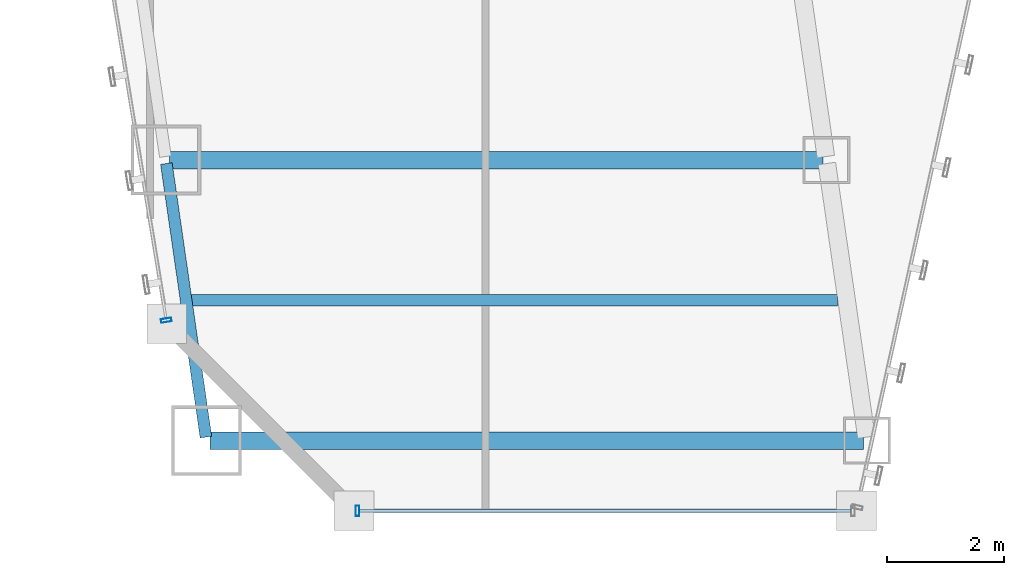
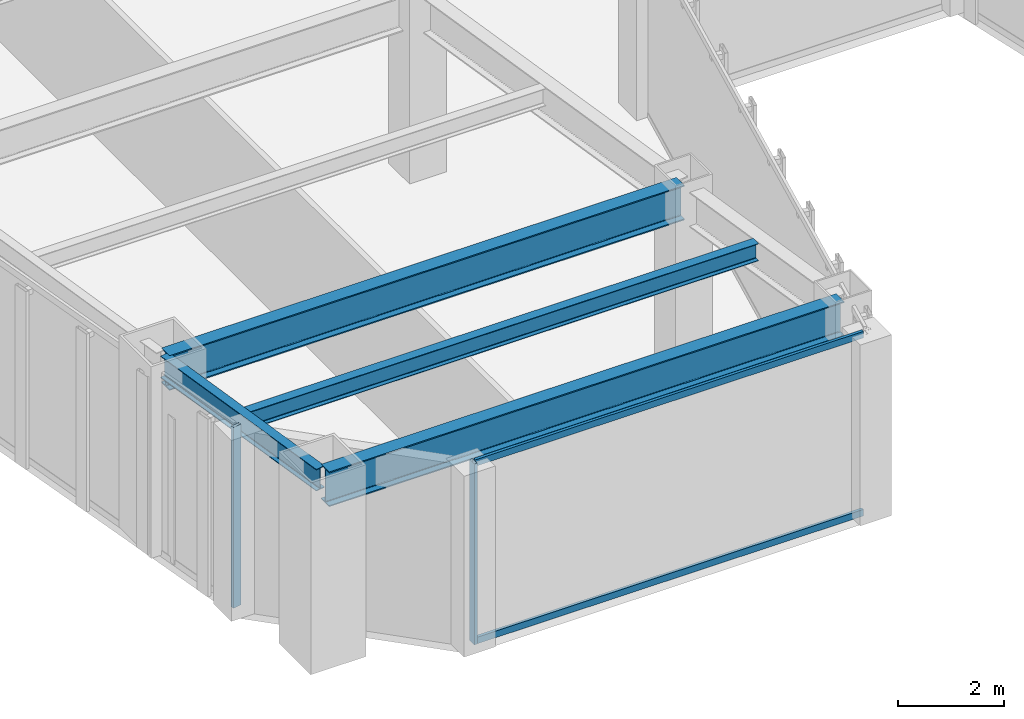
# One storey, part 4 of 47: 4 beams, 4 members, 2 elements without a shape of their own.
"""IFC4 building model written with IfcOpenShell, lengths in metres."""

from ifc_helpers import new_model, si_unit, direction, frame, origin, origin_2d, place, context, subcontext, project, spatial, hollow_rectangle, i_section, extrude, material, material_profile, profile_set, type_object, element, aggregate, save


model = new_model("IFC4")

# Units and contexts
model_context = context("Model", 3, precision=1e-05, world=origin(), true_north=direction((0.0, 1.0)))
body_context = subcontext(model_context, "Body", "Model", "MODEL_VIEW")
ifc_project = project(units=[si_unit("LENGTHUNIT", "METRE"), si_unit("AREAUNIT", "SQUARE_METRE"), si_unit("VOLUMEUNIT", "CUBIC_METRE"), si_unit("PLANEANGLEUNIT", "RADIAN"), si_unit("MASSUNIT", "GRAM", prefix="KILO")], contexts=[model_context])

# Site, building, storey
site_placement = place(None, origin())
site = spatial("IfcSite", under=ifc_project, at=site_placement, CompositionType="ELEMENT")
building_placement = place(site_placement, origin())
building = spatial("IfcBuilding", under=site, at=building_placement, Name="Saevonmaru Cultural Tower", CompositionType="ELEMENT")
storey_placement = place(building_placement, frame((0.0, 0.0, 92.800048828125)))
storey = spatial("IfcBuildingStorey", under=building, at=storey_placement, Name="L19", CompositionType="ELEMENT", Elevation=92.800048828125)

# Beams
ifc_material_1 = material(Name="Steel SM420", Category="steel")
ifc_material_profile_1 = material_profile(ifc_material_1, i_section(OverallWidth=0.300048828125, OverallDepth=0.800048828125, WebThickness=0.013916015625, FlangeThickness=0.02587890625, FilletRadius=0.028076171875, at=origin_2d()), Name="H-800x300x14x26")
ifc_profile_set_1 = profile_set([ifc_material_profile_1], Name="Steel SM420")
beam_type_1 = type_object("IfcBeamType", Name="BM-G-H800", PredefinedType="BEAM", material=ifc_profile_set_1)
for number, where, z_axis, x_axis, name in (
    (1, (12.537109375, 3.199951171875, 3.75), (1.0, 0.0, 0.0), (0.0, 1.0, 0.0), "L19 West Wing Transverse Girder 1"),
    (2, (11.843017578125, 8.0, 3.75), (1.0, 0.0, 0.0), (0.0, 1.0, 0.0), "L19 West Wing Transverse Girder 2"),
):
    element("IfcBeam", number, at=place(storey_placement, frame(where, z_axis=z_axis, x_axis=x_axis)), inside=storey, type_object=beam_type_1, Name=name, PredefinedType="BEAM", context=body_context, shape_type="SweptSolid", body=[
        extrude(i_section(OverallWidth=0.300048828125, OverallDepth=0.800048828125, WebThickness=0.013916015625, FlangeThickness=0.02587890625, FilletRadius=0.028076171875, at=origin_2d()), origin(), (0.0, 0.0, 1.0), 11.179931640625),
    ])
ifc_material_2 = material(Name="Steel SM355", Category="steel")
ifc_material_profile_2 = material_profile(ifc_material_2, i_section(OverallWidth=0.199951171875, OverallDepth=0.39990234375, WebThickness=0.008056640625, FlangeThickness=0.012939453125, FilletRadius=0.01611328125, at=origin_2d()), Name="H-400x200x8x13")
ifc_profile_set_2 = profile_set([ifc_material_profile_2], Name="Steel SM355")
beam_type_2 = type_object("IfcBeamType", Name="BM-J-H400", PredefinedType="JOIST", material=ifc_profile_set_2)
beam_1_placement = place(storey_placement, frame((12.18994140625, 5.60009765625, 3.949951171875), z_axis=(1.0, 0.0, 0.0), x_axis=(0.0, 1.0, 0.0)))
element("IfcBeam", 3, at=beam_1_placement, inside=storey, type_object=beam_type_2, Name="L19 West Wing Floor Joist 1", PredefinedType="JOIST", context=body_context, shape_type="SweptSolid", body=[
    extrude(i_section(OverallWidth=0.199951171875, OverallDepth=0.39990234375, WebThickness=0.008056640625, FlangeThickness=0.012939453125, FilletRadius=0.01611328125, at=origin_2d()), origin(), (0.0, 0.0, 1.0), 11.08203125),
])
ifc_material_profile_3 = material_profile(ifc_material_2, i_section(OverallWidth=0.199951171875, OverallDepth=0.5, WebThickness=0.010009765625, FlangeThickness=0.01611328125, FilletRadius=0.02001953125, at=origin_2d()), Name="H-500x200x10x16")
ifc_profile_set_3 = profile_set([ifc_material_profile_3], Name="Steel SM355")
beam_type_3 = type_object("IfcBeamType", Name="BM-SP-H500", PredefinedType="SPANDREL", material=ifc_profile_set_3)
beam_2_placement = place(storey_placement, frame((12.468505859375, 3.259521484375, 3.89990234375), z_axis=(-0.14313379491, 0.989703347855, 0.0), x_axis=(-0.989703347855, -0.14313379491, 0.0)))
element("IfcBeam", 4, at=beam_2_placement, inside=storey, type_object=beam_type_3, Name="L19 West Splayed Spandrel 1", PredefinedType="SPANDREL", context=body_context, shape_type="SweptSolid", body=[
    extrude(i_section(OverallWidth=0.199951171875, OverallDepth=0.5, WebThickness=0.010009765625, FlangeThickness=0.01611328125, FilletRadius=0.02001953125, at=origin_2d()), origin(), (0.0, 0.0, 1.0), 4.729736328125),
])

# Curtain wall, member
ifc_material_3 = material(Name="Satin Bronze Anodised Aluminium", Category="aluminium")
curtain_wall_type = type_object("IfcCurtainWallType", Name="CW-TYP-A", PredefinedType="NOTDEFINED", material=ifc_material_3)
curtain_wall_1_placement = place(storey_placement, origin())
curtain_wall_1 = element("IfcCurtainWall", 5, at=curtain_wall_1_placement, inside=storey, type_object=curtain_wall_type, Name="L19 Unitised Curtain Wall E2", PredefinedType="NOTDEFINED")
ifc_material_profile_4 = material_profile(ifc_material_3, hollow_rectangle(XDim=0.06494140625, YDim=0.179931640625, WallThickness=0.00390625, at=origin_2d()), Name="ALU-MULL-180x65x4")
ifc_profile_set_4 = profile_set([ifc_material_profile_4], Name="Satin Bronze Anodised Aluminium")
member_type_1 = type_object("IfcMemberType", Name="ML-CW-180x65", PredefinedType="MULLION", material=ifc_profile_set_4)
member_1_placement = place(storey_placement, frame((15.06005859375, 2.0, 0.0), z_axis=(0.0, 0.0, 1.0), x_axis=(1.0, 0.0, 0.0)))
member_1 = element("IfcMember", 6, at=member_1_placement, type_object=member_type_1, Name="CW-TW-L19-E2 mullion 1", PredefinedType="MULLION", context=body_context, shape_type="SweptSolid", body=[
    extrude(hollow_rectangle(XDim=0.06494140625, YDim=0.179931640625, WallThickness=0.00390625, at=origin_2d()), origin(), (0.0, 0.0, 1.0), 4.14990234375),
])

curtain_wall_2_placement = place(storey_placement, origin())
curtain_wall_2 = element("IfcCurtainWall", 7, at=curtain_wall_2_placement, inside=storey, type_object=curtain_wall_type, Name="L19 Unitised Curtain Wall E12", PredefinedType="NOTDEFINED")
member_2_placement = place(storey_placement, frame((11.790283203125, 5.25927734375, 0.0), z_axis=(0.0, 0.0, 1.0), x_axis=(0.161708868641, -0.986838508472, 0.0)))
member_2 = element("IfcMember", 8, at=member_2_placement, type_object=member_type_1, Name="CW-TW-L19-E12 mullion 5", PredefinedType="MULLION", context=body_context, shape_type="SweptSolid", body=[
    extrude(hollow_rectangle(XDim=0.06494140625, YDim=0.179931640625, WallThickness=0.00390625, at=origin_2d()), origin(), (0.0, 0.0, 1.0), 4.14990234375),
])
aggregate(curtain_wall_2, [member_2])

# Member
ifc_material_profile_5 = material_profile(ifc_material_3, hollow_rectangle(XDim=0.06494140625, YDim=0.14990234375, WallThickness=0.00390625, at=origin_2d()), Name="ALU-TRAN-150x65x4")
ifc_profile_set_5 = profile_set([ifc_material_profile_5], Name="Satin Bronze Anodised Aluminium")
member_type_2 = type_object("IfcMemberType", Name="TR-CW-150x65", PredefinedType="USERDEFINED", material=ifc_profile_set_5)
member_3_placement = place(storey_placement, frame((15.092529296875, 2.0, 0.032470703125), z_axis=(1.0, 0.0, 0.0), x_axis=(0.0, 1.0, 0.0)))
member_3 = element("IfcMember", 9, at=member_3_placement, type_object=member_type_2, Name="CW-TW-L19-E2 transom 1.1", ObjectType="TRANSOM", PredefinedType="USERDEFINED", context=body_context, shape_type="SweptSolid", body=[
    extrude(hollow_rectangle(XDim=0.06494140625, YDim=0.14990234375, WallThickness=0.00390625, at=origin_2d()), origin(), (0.0, 0.0, 1.0), 8.4150390625),
])

member_4_placement = place(storey_placement, frame((15.092529296875, 2.0, 4.117431640625), z_axis=(1.0, 0.0, 0.0), x_axis=(0.0, 1.0, 0.0)))
member_4 = element("IfcMember", 10, at=member_4_placement, type_object=member_type_2, Name="CW-TW-L19-E2 transom 1.2", ObjectType="TRANSOM", PredefinedType="USERDEFINED", context=body_context, shape_type="SweptSolid", body=[
    extrude(hollow_rectangle(XDim=0.06494140625, YDim=0.14990234375, WallThickness=0.00390625, at=origin_2d()), origin(), (0.0, 0.0, 1.0), 8.4150390625),
])

aggregate(curtain_wall_1, [member_1, member_3, member_4])

save(model, "model.ifc")
